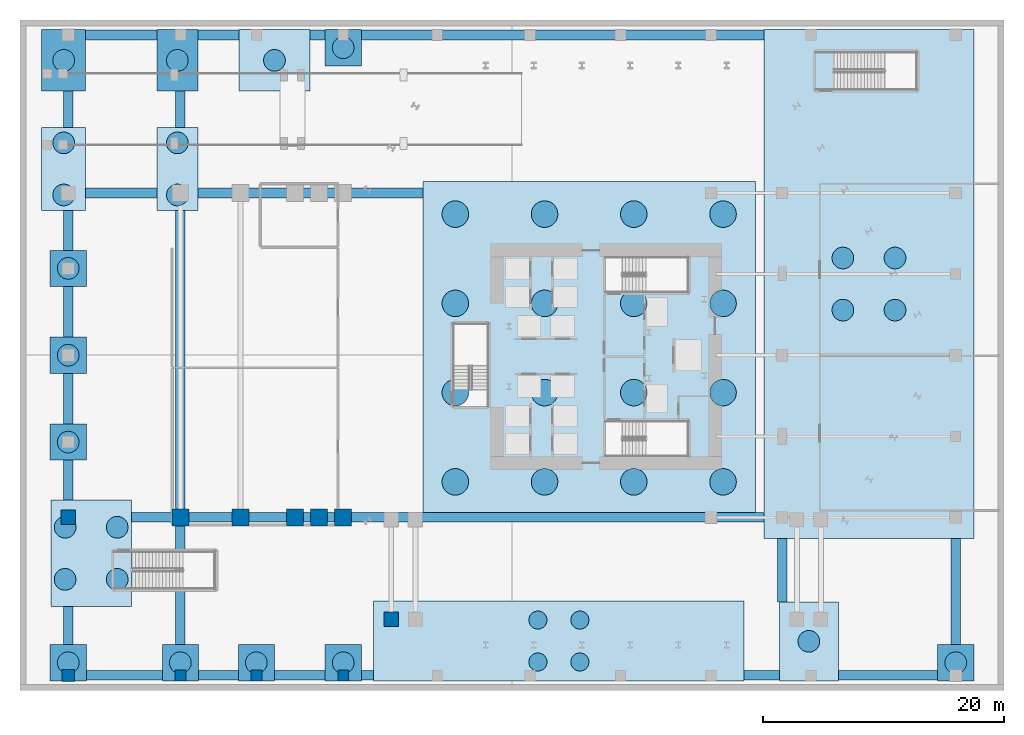
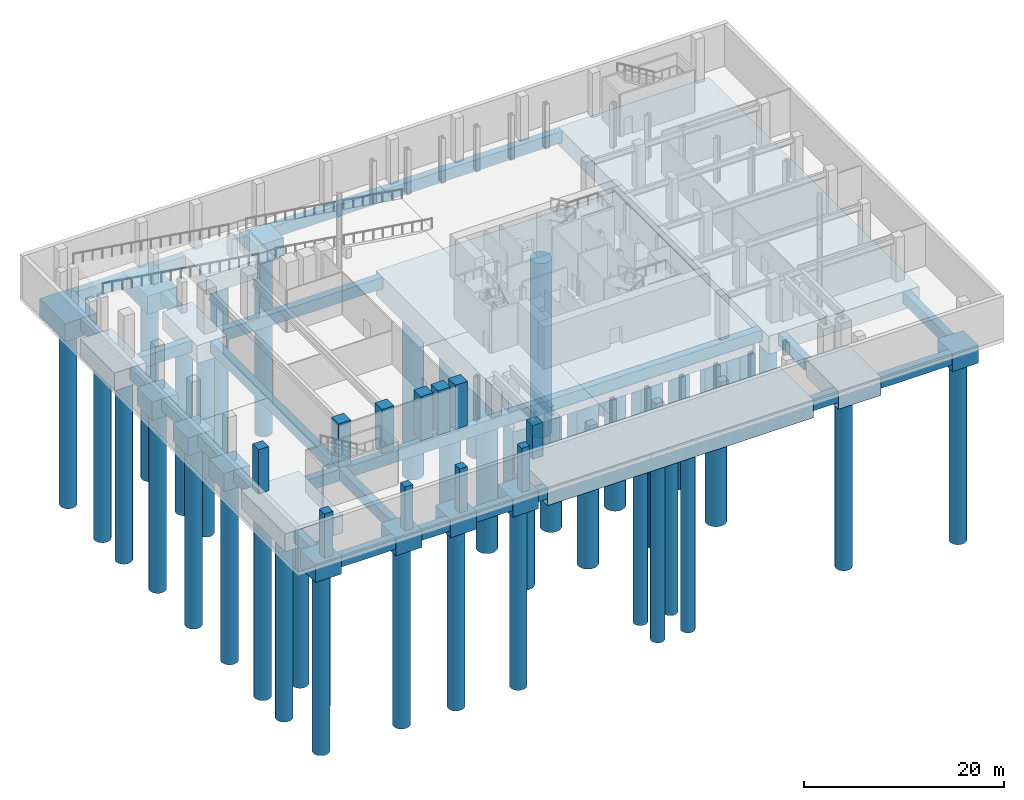
# One storey, part 1 of 16: 45 piles, 42 footings, 11 columns.
"""IFC4 building model written with IfcOpenShell, lengths in metres."""

from ifc_helpers import new_model, si_unit, direction, frame, origin, origin_2d, place, context, subcontext, project, spatial, polyline, rectangle, circle, outline, extrude, material, material_profile, profile_set, type_object, element, save


model = new_model("IFC4")

# Units and contexts
model_context = context("Model", 3, precision=1e-05, world=origin(), true_north=direction((0.0, 1.0)))
body_context = subcontext(model_context, "Body", "Model", "MODEL_VIEW")
ifc_project = project(units=[si_unit("LENGTHUNIT", "METRE"), si_unit("AREAUNIT", "SQUARE_METRE"), si_unit("VOLUMEUNIT", "CUBIC_METRE"), si_unit("PLANEANGLEUNIT", "RADIAN"), si_unit("MASSUNIT", "GRAM", prefix="KILO")], contexts=[model_context])

# Site, building, storey
site_placement = place(None, origin())
site = spatial("IfcSite", under=ifc_project, at=site_placement, CompositionType="ELEMENT")
building_placement = place(site_placement, origin())
building = spatial("IfcBuilding", under=site, at=building_placement, Name="Valkerne Bourse Tower", CompositionType="ELEMENT")
storey_placement = place(building_placement, frame((0.0, 0.0, -5.39990234375)))
storey = spatial("IfcBuildingStorey", under=building, at=storey_placement, Name="B1", CompositionType="ELEMENT", Elevation=-5.39990234375)

# Footings
ifc_material_1 = material(Name="Concrete C55/67", Category="concrete")
footing_type_1 = type_object("IfcFootingType", Name="FT-PC-17400X42196", PredefinedType="PILE_CAP", material=ifc_material_1)
footing_1_placement = place(storey_placement, frame((0.0, 0.0, -2.650146484375)))
element("IfcFooting", 1, at=footing_1_placement, inside=storey, type_object=footing_type_1, Name="Merged Pile Cap FT-CAP-17", PredefinedType="PILE_CAP", context=body_context, shape_type="SweptSolid", body=[
    extrude(outline(polyline([(59.89990234375, 11.803955078125), (77.300048828125, 11.803955078125), (77.300048828125, 54.0), (59.89990234375, 54.0), (59.89990234375, 11.803955078125)])), origin(), (0.0, 0.0, 1.0), 2.199951171875),
])
footing_type_2 = type_object("IfcFootingType", Name="FT-PC-3000X3000", PredefinedType="PILE_CAP", material=ifc_material_1)
footing_2_placement = place(storey_placement, frame((0.0, 0.0, -2.650146484375)))
element("IfcFooting", 2, at=footing_2_placement, inside=storey, type_object=footing_type_2, Name="Merged Pile Cap FT-CAP-01", PredefinedType="PILE_CAP", context=body_context, shape_type="SweptSolid", body=[
    extrude(outline(polyline([(0.699951171875, 0.0), (3.699951171875, 0.0), (3.699951171875, 3.0), (0.699951171875, 3.0), (0.699951171875, 0.0)])), origin(), (0.0, 0.0, 1.0), 2.199951171875),
])
footing_3_placement = place(storey_placement, frame((0.0, 0.0, -2.650146484375)))
element("IfcFooting", 3, at=footing_3_placement, inside=storey, type_object=footing_type_2, Name="Merged Pile Cap FT-CAP-03", PredefinedType="PILE_CAP", context=body_context, shape_type="SweptSolid", body=[
    extrude(outline(polyline([(0.699951171875, 18.300048828125), (3.699951171875, 18.300048828125), (3.699951171875, 21.300048828125), (0.699951171875, 21.300048828125), (0.699951171875, 18.300048828125)])), origin(), (0.0, 0.0, 1.0), 2.199951171875),
])
footing_4_placement = place(storey_placement, frame((0.0, 0.0, -2.650146484375)))
element("IfcFooting", 4, at=footing_4_placement, inside=storey, type_object=footing_type_2, Name="Merged Pile Cap FT-CAP-04", PredefinedType="PILE_CAP", context=body_context, shape_type="SweptSolid", body=[
    extrude(outline(polyline([(0.699951171875, 25.5), (3.699951171875, 25.5), (3.699951171875, 28.5), (0.699951171875, 28.5), (0.699951171875, 25.5)])), origin(), (0.0, 0.0, 1.0), 2.199951171875),
])
footing_5_placement = place(storey_placement, frame((0.0, 0.0, -2.650146484375)))
element("IfcFooting", 5, at=footing_5_placement, inside=storey, type_object=footing_type_2, Name="Merged Pile Cap FT-CAP-05", PredefinedType="PILE_CAP", context=body_context, shape_type="SweptSolid", body=[
    extrude(outline(polyline([(0.699951171875, 32.699951171875), (3.699951171875, 32.699951171875), (3.699951171875, 35.699951171875), (0.699951171875, 35.699951171875), (0.699951171875, 32.699951171875)])), origin(), (0.0, 0.0, 1.0), 2.199951171875),
])
footing_6_placement = place(storey_placement, frame((0.0, 0.0, -2.650146484375)))
element("IfcFooting", 6, at=footing_6_placement, inside=storey, type_object=footing_type_2, Name="Merged Pile Cap FT-CAP-08", PredefinedType="PILE_CAP", context=body_context, shape_type="SweptSolid", body=[
    extrude(outline(polyline([(10.0, 0.0), (13.0, 0.0), (13.0, 3.0), (10.0, 3.0), (10.0, 0.0)])), origin(), (0.0, 0.0, 1.0), 2.199951171875),
])
footing_7_placement = place(storey_placement, frame((0.0, 0.0, -2.650146484375)))
element("IfcFooting", 7, at=footing_7_placement, inside=storey, type_object=footing_type_2, Name="Merged Pile Cap FT-CAP-09", PredefinedType="PILE_CAP", context=body_context, shape_type="SweptSolid", body=[
    extrude(outline(polyline([(16.300048828125, 0.0), (19.300048828125, 0.0), (19.300048828125, 3.0), (16.300048828125, 3.0), (16.300048828125, 0.0)])), origin(), (0.0, 0.0, 1.0), 2.199951171875),
])
footing_8_placement = place(storey_placement, frame((0.0, 0.0, -2.650146484375)))
element("IfcFooting", 8, at=footing_8_placement, inside=storey, type_object=footing_type_2, Name="Merged Pile Cap FT-CAP-10", PredefinedType="PILE_CAP", context=body_context, shape_type="SweptSolid", body=[
    extrude(outline(polyline([(23.5, 0.0), (26.5, 0.0), (26.5, 3.0), (23.5, 3.0), (23.5, 0.0)])), origin(), (0.0, 0.0, 1.0), 2.199951171875),
])
footing_9_placement = place(storey_placement, frame((0.0, 0.0, -2.650146484375)))
element("IfcFooting", 9, at=footing_9_placement, inside=storey, type_object=footing_type_2, Name="Merged Pile Cap FT-CAP-13", PredefinedType="PILE_CAP", context=body_context, shape_type="SweptSolid", body=[
    extrude(outline(polyline([(74.300048828125, 0.0), (77.300048828125, 0.0), (77.300048828125, 3.0), (74.300048828125, 3.0), (74.300048828125, 0.0)])), origin(), (0.0, 0.0, 1.0), 2.199951171875),
])
footing_10_placement = place(storey_placement, frame((0.0, 0.0, -2.650146484375)))
element("IfcFooting", 10, at=footing_10_placement, inside=storey, type_object=footing_type_2, Name="Merged Pile Cap FT-CAP-16", PredefinedType="PILE_CAP", context=body_context, shape_type="SweptSolid", body=[
    extrude(outline(polyline([(23.5, 51.0), (26.5, 51.0), (26.5, 54.0), (23.5, 54.0), (23.5, 51.0)])), origin(), (0.0, 0.0, 1.0), 2.199951171875),
])
footing_type_3 = type_object("IfcFootingType", Name="FT-PC-30705X6600", PredefinedType="PILE_CAP", material=ifc_material_1)
footing_11_placement = place(storey_placement, frame((0.0, 0.0, -2.650146484375)))
element("IfcFooting", 11, at=footing_11_placement, inside=storey, type_object=footing_type_3, Name="Merged Pile Cap FT-CAP-11", PredefinedType="PILE_CAP", context=body_context, shape_type="SweptSolid", body=[
    extrude(outline(polyline([(27.534912109375, 0.0), (58.239990234375, 0.0), (58.239990234375, 6.60009765625), (27.534912109375, 6.60009765625), (27.534912109375, 0.0)])), origin(), (0.0, 0.0, 1.0), 2.199951171875),
])
footing_type_4 = type_object("IfcFootingType", Name="FT-PC-3400X5100", PredefinedType="PILE_CAP", material=ifc_material_1)
footing_12_placement = place(storey_placement, frame((0.0, 0.0, -2.650146484375)))
element("IfcFooting", 12, at=footing_12_placement, inside=storey, type_object=footing_type_4, Name="Merged Pile Cap FT-CAP-14", PredefinedType="PILE_CAP", context=body_context, shape_type="SweptSolid", body=[
    extrude(outline(polyline([(9.550048828125, 48.89990234375), (12.949951171875, 48.89990234375), (12.949951171875, 54.0), (9.550048828125, 54.0), (9.550048828125, 48.89990234375)])), origin(), (0.0, 0.0, 1.0), 2.199951171875),
])
footing_type_5 = type_object("IfcFootingType", Name="FT-PC-3400X6900", PredefinedType="PILE_CAP", material=ifc_material_1)
footing_13_placement = place(storey_placement, frame((0.0, 0.0, -2.650146484375)))
element("IfcFooting", 13, at=footing_13_placement, inside=storey, type_object=footing_type_5, Name="Merged Pile Cap FT-CAP-18", PredefinedType="PILE_CAP", context=body_context, shape_type="SweptSolid", body=[
    extrude(outline(polyline([(9.550048828125, 39.0), (12.949951171875, 39.0), (12.949951171875, 45.89990234375), (9.550048828125, 45.89990234375), (9.550048828125, 39.0)])), origin(), (0.0, 0.0, 1.0), 2.199951171875),
])
footing_type_6 = type_object("IfcFootingType", Name="FT-PC-3650X5100", PredefinedType="PILE_CAP", material=ifc_material_1)
footing_14_placement = place(storey_placement, frame((0.0, 0.0, -2.650146484375)))
element("IfcFooting", 14, at=footing_14_placement, inside=storey, type_object=footing_type_6, Name="Merged Pile Cap FT-CAP-07", PredefinedType="PILE_CAP", context=body_context, shape_type="SweptSolid", body=[
    extrude(outline(polyline([(0.0, 48.89990234375), (3.64990234375, 48.89990234375), (3.64990234375, 54.0), (0.0, 54.0), (0.0, 48.89990234375)])), origin(), (0.0, 0.0, 1.0), 2.199951171875),
])
footing_type_7 = type_object("IfcFootingType", Name="FT-PC-3650X6900", PredefinedType="PILE_CAP", material=ifc_material_1)
footing_15_placement = place(storey_placement, frame((0.0, 0.0, -2.650146484375)))
element("IfcFooting", 15, at=footing_15_placement, inside=storey, type_object=footing_type_7, Name="Merged Pile Cap FT-CAP-06", PredefinedType="PILE_CAP", context=body_context, shape_type="SweptSolid", body=[
    extrude(outline(polyline([(0.0, 39.0), (3.64990234375, 39.0), (3.64990234375, 45.89990234375), (0.0, 45.89990234375), (0.0, 39.0)])), origin(), (0.0, 0.0, 1.0), 2.199951171875),
])
footing_type_8 = type_object("IfcFootingType", Name="FT-PC-4899X6550", PredefinedType="PILE_CAP", material=ifc_material_1)
footing_16_placement = place(storey_placement, frame((0.0, 0.0, -2.650146484375)))
element("IfcFooting", 16, at=footing_16_placement, inside=storey, type_object=footing_type_8, Name="Merged Pile Cap FT-CAP-12", PredefinedType="PILE_CAP", context=body_context, shape_type="SweptSolid", body=[
    extrude(outline(polyline([(61.1669921875, 0.0), (66.06591796875, 0.0), (66.06591796875, 6.550048828125), (61.1669921875, 6.550048828125), (61.1669921875, 0.0)])), origin(), (0.0, 0.0, 1.0), 2.199951171875),
])
footing_type_9 = type_object("IfcFootingType", Name="FT-PC-5900X5100", PredefinedType="PILE_CAP", material=ifc_material_1)
footing_17_placement = place(storey_placement, frame((0.0, 0.0, -2.650146484375)))
element("IfcFooting", 17, at=footing_17_placement, inside=storey, type_object=footing_type_9, Name="Merged Pile Cap FT-CAP-15", PredefinedType="PILE_CAP", context=body_context, shape_type="SweptSolid", body=[
    extrude(outline(polyline([(16.35009765625, 48.89990234375), (22.25, 48.89990234375), (22.25, 54.0), (16.35009765625, 54.0), (16.35009765625, 48.89990234375)])), origin(), (0.0, 0.0, 1.0), 2.199951171875),
])
footing_type_10 = type_object("IfcFootingType", Name="FT-PC-6700X8850", PredefinedType="PILE_CAP", material=ifc_material_1)
footing_18_placement = place(storey_placement, frame((0.0, 0.0, -2.650146484375)))
element("IfcFooting", 18, at=footing_18_placement, inside=storey, type_object=footing_type_10, Name="Merged Pile Cap FT-CAP-02", PredefinedType="PILE_CAP", context=body_context, shape_type="SweptSolid", body=[
    extrude(outline(polyline([(0.75, 6.14990234375), (7.449951171875, 6.14990234375), (7.449951171875, 15.0), (0.75, 15.0), (0.75, 6.14990234375)])), origin(), (0.0, 0.0, 1.0), 2.199951171875),
])
footing_type_11 = type_object("IfcFootingType", Name="FT-RAFT-3000", PredefinedType="PILE_CAP", material=ifc_material_1)
footing_19_placement = place(storey_placement, frame((0.0, 0.0, -3.4501953125)))
element("IfcFooting", 19, at=footing_19_placement, inside=storey, type_object=footing_type_11, Name="Central Core Foundation Raft FT-RAFT", PredefinedType="PILE_CAP", context=body_context, shape_type="SweptSolid", body=[
    extrude(outline(polyline([(31.60009765625, 13.800048828125), (59.199951171875, 13.800048828125), (59.199951171875, 41.39990234375), (31.60009765625, 41.39990234375), (31.60009765625, 13.800048828125)])), origin(), (0.0, 0.0, 1.0), 3.0),
])
ifc_material_profile_1 = material_profile(ifc_material_1, rectangle(XDim=0.800048828125, YDim=1.39990234375, at=origin_2d()), Name="RC800X1400")
ifc_profile_set_1 = profile_set([ifc_material_profile_1], Name="Concrete C55/67")
footing_type_12 = type_object("IfcFootingType", Name="FT-TB-800X1400", PredefinedType="FOOTING_BEAM", material=ifc_profile_set_1)
footing_20_placement = place(storey_placement, frame((3.699951171875, 0.449951171875, -1.150146484375), z_axis=(1.0, 0.0, 0.0), x_axis=(0.0, 1.0, 0.0)))
element("IfcFooting", 20, at=footing_20_placement, inside=storey, type_object=footing_type_12, Name="Foundation Tie Beam TB-01", PredefinedType="FOOTING_BEAM", context=body_context, shape_type="SweptSolid", body=[
    extrude(rectangle(XDim=0.800048828125, YDim=1.39990234375, at=origin_2d()), origin(), (0.0, 0.0, 1.0), 6.300048828125),
])
footing_21_placement = place(storey_placement, frame((13.0, 0.449951171875, -1.150146484375), z_axis=(1.0, 0.0, 0.0), x_axis=(0.0, 1.0, 0.0)))
element("IfcFooting", 21, at=footing_21_placement, inside=storey, type_object=footing_type_12, Name="Foundation Tie Beam TB-02", PredefinedType="FOOTING_BEAM", context=body_context, shape_type="SweptSolid", body=[
    extrude(rectangle(XDim=0.800048828125, YDim=1.39990234375, at=origin_2d()), origin(), (0.0, 0.0, 1.0), 3.300048828125),
])
footing_22_placement = place(storey_placement, frame((19.300048828125, 0.449951171875, -1.150146484375), z_axis=(1.0, 0.0, 0.0), x_axis=(0.0, 1.0, 0.0)))
element("IfcFooting", 22, at=footing_22_placement, inside=storey, type_object=footing_type_12, Name="Foundation Tie Beam TB-03", PredefinedType="FOOTING_BEAM", context=body_context, shape_type="SweptSolid", body=[
    extrude(rectangle(XDim=0.800048828125, YDim=1.39990234375, at=origin_2d()), origin(), (0.0, 0.0, 1.0), 4.199951171875),
])
footing_23_placement = place(storey_placement, frame((26.5, 0.449951171875, -1.150146484375), z_axis=(1.0, 0.0, 0.0), x_axis=(0.0, 1.0, 0.0)))
element("IfcFooting", 23, at=footing_23_placement, inside=storey, type_object=footing_type_12, Name="Foundation Tie Beam TB-04", PredefinedType="FOOTING_BEAM", context=body_context, shape_type="SweptSolid", body=[
    extrude(rectangle(XDim=0.800048828125, YDim=1.39990234375, at=origin_2d()), origin(), (0.0, 0.0, 1.0), 1.034912109375),
])
footing_24_placement = place(storey_placement, frame((58.239990234375, 0.449951171875, -1.150146484375), z_axis=(1.0, 0.0, 0.0), x_axis=(0.0, 1.0, 0.0)))
element("IfcFooting", 24, at=footing_24_placement, inside=storey, type_object=footing_type_12, Name="Foundation Tie Beam TB-05", PredefinedType="FOOTING_BEAM", context=body_context, shape_type="SweptSolid", body=[
    extrude(rectangle(XDim=0.800048828125, YDim=1.39990234375, at=origin_2d()), origin(), (0.0, 0.0, 1.0), 2.927001953125),
])
footing_25_placement = place(storey_placement, frame((66.06591796875, 0.449951171875, -1.150146484375), z_axis=(1.0, 0.0, 0.0), x_axis=(0.0, 1.0, 0.0)))
element("IfcFooting", 25, at=footing_25_placement, inside=storey, type_object=footing_type_12, Name="Foundation Tie Beam TB-06", PredefinedType="FOOTING_BEAM", context=body_context, shape_type="SweptSolid", body=[
    extrude(rectangle(XDim=0.800048828125, YDim=1.39990234375, at=origin_2d()), origin(), (0.0, 0.0, 1.0), 8.234130859375),
])
footing_26_placement = place(storey_placement, frame((3.64990234375, 53.550048828125, -1.150146484375), z_axis=(1.0, 0.0, 0.0), x_axis=(0.0, 1.0, 0.0)))
element("IfcFooting", 26, at=footing_26_placement, inside=storey, type_object=footing_type_12, Name="Foundation Tie Beam TB-07", PredefinedType="FOOTING_BEAM", context=body_context, shape_type="SweptSolid", body=[
    extrude(rectangle(XDim=0.800048828125, YDim=1.39990234375, at=origin_2d()), origin(), (0.0, 0.0, 1.0), 5.900146484375),
])
footing_27_placement = place(storey_placement, frame((12.949951171875, 53.550048828125, -1.150146484375), z_axis=(1.0, 0.0, 0.0), x_axis=(0.0, 1.0, 0.0)))
element("IfcFooting", 27, at=footing_27_placement, inside=storey, type_object=footing_type_12, Name="Foundation Tie Beam TB-08", PredefinedType="FOOTING_BEAM", context=body_context, shape_type="SweptSolid", body=[
    extrude(rectangle(XDim=0.800048828125, YDim=1.39990234375, at=origin_2d()), origin(), (0.0, 0.0, 1.0), 3.400146484375),
])
footing_28_placement = place(storey_placement, frame((22.25, 53.550048828125, -1.150146484375), z_axis=(1.0, 0.0, 0.0), x_axis=(0.0, 1.0, 0.0)))
element("IfcFooting", 28, at=footing_28_placement, inside=storey, type_object=footing_type_12, Name="Foundation Tie Beam TB-09", PredefinedType="FOOTING_BEAM", context=body_context, shape_type="SweptSolid", body=[
    extrude(rectangle(XDim=0.800048828125, YDim=1.39990234375, at=origin_2d()), origin(), (0.0, 0.0, 1.0), 1.25),
])
footing_29_placement = place(storey_placement, frame((26.5, 53.550048828125, -1.150146484375), z_axis=(1.0, 0.0, 0.0), x_axis=(0.0, 1.0, 0.0)))
element("IfcFooting", 29, at=footing_29_placement, inside=storey, type_object=footing_type_12, Name="Foundation Tie Beam TB-10", PredefinedType="FOOTING_BEAM", context=body_context, shape_type="SweptSolid", body=[
    extrude(rectangle(XDim=0.800048828125, YDim=1.39990234375, at=origin_2d()), origin(), (0.0, 0.0, 1.0), 33.39990234375),
])
footing_30_placement = place(storey_placement, frame((2.199951171875, 3.0, -1.150146484375), z_axis=(0.0, 1.0, 0.0), x_axis=(-1.0, 0.0, 0.0)))
element("IfcFooting", 30, at=footing_30_placement, inside=storey, type_object=footing_type_12, Name="Foundation Tie Beam TB-11", PredefinedType="FOOTING_BEAM", context=body_context, shape_type="SweptSolid", body=[
    extrude(rectangle(XDim=0.800048828125, YDim=1.39990234375, at=origin_2d()), origin(), (0.0, 0.0, 1.0), 3.14990234375),
])
footing_31_placement = place(storey_placement, frame((2.199951171875, 15.0, -1.150146484375), z_axis=(0.0, 1.0, 0.0), x_axis=(-1.0, 0.0, 0.0)))
element("IfcFooting", 31, at=footing_31_placement, inside=storey, type_object=footing_type_12, Name="Foundation Tie Beam TB-12", PredefinedType="FOOTING_BEAM", context=body_context, shape_type="SweptSolid", body=[
    extrude(rectangle(XDim=0.800048828125, YDim=1.39990234375, at=origin_2d()), origin(), (0.0, 0.0, 1.0), 3.300048828125),
])
for number, where, z_axis, x_axis, name in (
    (32, (2.199951171875, 21.300048828125, -1.150146484375), (0.0, 1.0, 0.0), (-1.0, 0.0, 0.0), "Foundation Tie Beam TB-13"),
    (33, (2.199951171875, 28.5, -1.150146484375), (0.0, 1.0, 0.0), (-1.0, 0.0, 0.0), "Foundation Tie Beam TB-14"),
):
    element("IfcFooting", number, at=place(storey_placement, frame(where, z_axis=z_axis, x_axis=x_axis)), inside=storey, type_object=footing_type_12, Name=name, PredefinedType="FOOTING_BEAM", context=body_context, shape_type="SweptSolid", body=[
        extrude(rectangle(XDim=0.800048828125, YDim=1.39990234375, at=origin_2d()), origin(), (0.0, 0.0, 1.0), 4.199951171875),
    ])
footing_32_placement = place(storey_placement, frame((2.199951171875, 35.699951171875, -1.150146484375), z_axis=(0.0, 1.0, 0.0), x_axis=(-1.0, 0.0, 0.0)))
element("IfcFooting", 34, at=footing_32_placement, inside=storey, type_object=footing_type_12, Name="Foundation Tie Beam TB-15", PredefinedType="FOOTING_BEAM", context=body_context, shape_type="SweptSolid", body=[
    extrude(rectangle(XDim=0.800048828125, YDim=1.39990234375, at=origin_2d()), origin(), (0.0, 0.0, 1.0), 3.300048828125),
])
footing_33_placement = place(storey_placement, frame((2.199951171875, 45.89990234375, -1.150146484375), z_axis=(0.0, 1.0, 0.0), x_axis=(-1.0, 0.0, 0.0)))
element("IfcFooting", 35, at=footing_33_placement, inside=storey, type_object=footing_type_12, Name="Foundation Tie Beam TB-16", PredefinedType="FOOTING_BEAM", context=body_context, shape_type="SweptSolid", body=[
    extrude(rectangle(XDim=0.800048828125, YDim=1.39990234375, at=origin_2d()), origin(), (0.0, 0.0, 1.0), 3.0),
])
footing_34_placement = place(storey_placement, frame((75.800048828125, 3.0, -1.150146484375), z_axis=(0.0, 1.0, 0.0), x_axis=(-1.0, 0.0, 0.0)))
element("IfcFooting", 36, at=footing_34_placement, inside=storey, type_object=footing_type_12, Name="Foundation Tie Beam TB-17", PredefinedType="FOOTING_BEAM", context=body_context, shape_type="SweptSolid", body=[
    extrude(rectangle(XDim=0.800048828125, YDim=1.39990234375, at=origin_2d()), origin(), (0.0, 0.0, 1.0), 8.803955078125),
])
footing_35_placement = place(storey_placement, frame((11.5, 3.0, -1.150146484375), z_axis=(0.0, 1.0, 0.0), x_axis=(-1.0, 0.0, 0.0)))
element("IfcFooting", 37, at=footing_35_placement, inside=storey, type_object=footing_type_12, Name="Foundation Tie Beam TB-18", PredefinedType="FOOTING_BEAM", context=body_context, shape_type="SweptSolid", body=[
    extrude(rectangle(XDim=0.800048828125, YDim=1.39990234375, at=origin_2d()), origin(), (0.0, 0.0, 1.0), 36.0),
])
footing_36_placement = place(storey_placement, frame((11.5, 45.89990234375, -1.150146484375), z_axis=(0.0, 1.0, 0.0), x_axis=(-1.0, 0.0, 0.0)))
element("IfcFooting", 38, at=footing_36_placement, inside=storey, type_object=footing_type_12, Name="Foundation Tie Beam TB-19", PredefinedType="FOOTING_BEAM", context=body_context, shape_type="SweptSolid", body=[
    extrude(rectangle(XDim=0.800048828125, YDim=1.39990234375, at=origin_2d()), origin(), (0.0, 0.0, 1.0), 3.0),
])
footing_37_placement = place(storey_placement, frame((61.39990234375, 6.550048828125, -1.150146484375), z_axis=(0.0, 1.0, 0.0), x_axis=(-1.0, 0.0, 0.0)))
element("IfcFooting", 39, at=footing_37_placement, inside=storey, type_object=footing_type_12, Name="Foundation Tie Beam TB-20", PredefinedType="FOOTING_BEAM", context=body_context, shape_type="SweptSolid", body=[
    extrude(rectangle(XDim=0.800048828125, YDim=1.39990234375, at=origin_2d()), origin(), (0.0, 0.0, 1.0), 5.25390625),
])
footing_38_placement = place(storey_placement, frame((7.449951171875, 13.550048828125, -1.150146484375), z_axis=(1.0, 0.0, 0.0), x_axis=(0.0, 1.0, 0.0)))
element("IfcFooting", 40, at=footing_38_placement, inside=storey, type_object=footing_type_12, Name="Foundation Tie Beam TB-21", PredefinedType="FOOTING_BEAM", context=body_context, shape_type="SweptSolid", body=[
    extrude(rectangle(XDim=0.800048828125, YDim=1.39990234375, at=origin_2d()), origin(), (0.0, 0.0, 1.0), 52.449951171875),
])
footing_39_placement = place(storey_placement, frame((3.64990234375, 40.449951171875, -1.150146484375), z_axis=(1.0, 0.0, 0.0), x_axis=(0.0, 1.0, 0.0)))
element("IfcFooting", 41, at=footing_39_placement, inside=storey, type_object=footing_type_12, Name="Foundation Tie Beam TB-22", PredefinedType="FOOTING_BEAM", context=body_context, shape_type="SweptSolid", body=[
    extrude(rectangle(XDim=0.800048828125, YDim=1.39990234375, at=origin_2d()), origin(), (0.0, 0.0, 1.0), 5.900146484375),
])
footing_40_placement = place(storey_placement, frame((12.949951171875, 40.449951171875, -1.150146484375), z_axis=(1.0, 0.0, 0.0), x_axis=(0.0, 1.0, 0.0)))
element("IfcFooting", 42, at=footing_40_placement, inside=storey, type_object=footing_type_12, Name="Foundation Tie Beam TB-23", PredefinedType="FOOTING_BEAM", context=body_context, shape_type="SweptSolid", body=[
    extrude(rectangle(XDim=0.800048828125, YDim=1.39990234375, at=origin_2d()), origin(), (0.0, 0.0, 1.0), 18.650146484375),
])

# Piles
ifc_material_profile_2 = material_profile(ifc_material_1, circle(Radius=0.75, at=origin_2d()), Name="CAISSON1500")
ifc_profile_set_2 = profile_set([ifc_material_profile_2], Name="Concrete C55/67")
pile_type_1 = type_object("IfcPileType", Name="PL-CAISSON1500", PredefinedType="BORED", material=ifc_profile_set_2)
for number, where, z_axis, x_axis, name in (
    (43, (41.1474609375, 1.56005859375, -2.525146484375), (0.0, 0.0, -1.0), (1.0, 0.0, 0.0), "Cap Bored Caisson PILE-FT-CAP-11-1"),
    (44, (44.62744140625, 1.56005859375, -2.525146484375), (0.0, 0.0, -1.0), (1.0, 0.0, 0.0), "Cap Bored Caisson PILE-FT-CAP-11-2"),
    (45, (41.1474609375, 5.0400390625, -2.525146484375), (0.0, 0.0, -1.0), (1.0, 0.0, 0.0), "Cap Bored Caisson PILE-FT-CAP-11-3"),
    (46, (44.62744140625, 5.0400390625, -2.525146484375), (0.0, 0.0, -1.0), (1.0, 0.0, 0.0), "Cap Bored Caisson PILE-FT-CAP-11-4"),
):
    element("IfcPile", number, at=place(storey_placement, frame(where, z_axis=z_axis, x_axis=x_axis)), inside=storey, type_object=pile_type_1, Name=name, PredefinedType="BORED", context=body_context, shape_type="SweptSolid", body=[
        extrude(circle(Radius=0.75, at=origin_2d()), origin(), (0.0, 0.0, 1.0), 22.074951171875),
    ])
ifc_material_profile_3 = material_profile(ifc_material_1, circle(Radius=0.89990234375, at=origin_2d()), Name="CAISSON1800")
ifc_profile_set_3 = profile_set([ifc_material_profile_3], Name="Concrete C55/67")
pile_type_2 = type_object("IfcPileType", Name="PL-CAISSON1800", PredefinedType="BORED", material=ifc_profile_set_3)
for number, where, z_axis, x_axis, name in (
    (47, (2.199951171875, 1.5, -2.525146484375), (0.0, 0.0, -1.0), (1.0, 0.0, 0.0), "Cap Bored Caisson PILE-FT-CAP-01-1"),
    (48, (1.93994140625, 8.4150390625, -2.525146484375), (0.0, 0.0, -1.0), (1.0, 0.0, 0.0), "Cap Bored Caisson PILE-FT-CAP-02-1"),
    (49, (6.260009765625, 8.4150390625, -2.525146484375), (0.0, 0.0, -1.0), (1.0, 0.0, 0.0), "Cap Bored Caisson PILE-FT-CAP-02-2"),
    (50, (1.93994140625, 12.735107421875, -2.525146484375), (0.0, 0.0, -1.0), (1.0, 0.0, 0.0), "Cap Bored Caisson PILE-FT-CAP-02-3"),
    (51, (6.260009765625, 12.735107421875, -2.525146484375), (0.0, 0.0, -1.0), (1.0, 0.0, 0.0), "Cap Bored Caisson PILE-FT-CAP-02-4"),
    (52, (2.199951171875, 19.800048828125, -2.525146484375), (0.0, 0.0, -1.0), (1.0, 0.0, 0.0), "Cap Bored Caisson PILE-FT-CAP-03-1"),
    (53, (2.199951171875, 27.0, -2.525146484375), (0.0, 0.0, -1.0), (1.0, 0.0, 0.0), "Cap Bored Caisson PILE-FT-CAP-04-1"),
    (54, (2.199951171875, 34.199951171875, -2.525146484375), (0.0, 0.0, -1.0), (1.0, 0.0, 0.0), "Cap Bored Caisson PILE-FT-CAP-05-1"),
    (55, (1.824951171875, 40.2900390625, -2.525146484375), (0.0, 0.0, -1.0), (1.0, 0.0, 0.0), "Cap Bored Caisson PILE-FT-CAP-06-1"),
    (56, (1.824951171875, 44.610107421875, -2.525146484375), (0.0, 0.0, -1.0), (1.0, 0.0, 0.0), "Cap Bored Caisson PILE-FT-CAP-06-2"),
    (57, (1.824951171875, 51.449951171875, -2.525146484375), (0.0, 0.0, -1.0), (1.0, 0.0, 0.0), "Cap Bored Caisson PILE-FT-CAP-07-1"),
    (58, (11.5, 1.5, -2.525146484375), (0.0, 0.0, -1.0), (1.0, 0.0, 0.0), "Cap Bored Caisson PILE-FT-CAP-08-1"),
    (59, (17.800048828125, 1.5, -2.525146484375), (0.0, 0.0, -1.0), (1.0, 0.0, 0.0), "Cap Bored Caisson PILE-FT-CAP-09-1"),
    (60, (25.0, 1.5, -2.525146484375), (0.0, 0.0, -1.0), (1.0, 0.0, 0.0), "Cap Bored Caisson PILE-FT-CAP-10-1"),
    (61, (63.616455078125, 3.27490234375, -2.525146484375), (0.0, 0.0, -1.0), (1.0, 0.0, 0.0), "Cap Bored Caisson PILE-FT-CAP-12-1"),
    (62, (75.800048828125, 1.5, -2.525146484375), (0.0, 0.0, -1.0), (1.0, 0.0, 0.0), "Cap Bored Caisson PILE-FT-CAP-13-1"),
    (63, (11.25, 51.449951171875, -2.525146484375), (0.0, 0.0, -1.0), (1.0, 0.0, 0.0), "Cap Bored Caisson PILE-FT-CAP-14-1"),
    (64, (19.300048828125, 51.449951171875, -2.525146484375), (0.0, 0.0, -1.0), (1.0, 0.0, 0.0), "Cap Bored Caisson PILE-FT-CAP-15-1"),
    (65, (25.0, 52.5, -2.525146484375), (0.0, 0.0, -1.0), (1.0, 0.0, 0.0), "Cap Bored Caisson PILE-FT-CAP-16-1"),
    (66, (66.43994140625, 30.741943359375, -2.525146484375), (0.0, 0.0, -1.0), (1.0, 0.0, 0.0), "Cap Bored Caisson PILE-FT-CAP-17-1"),
    (67, (70.760009765625, 30.741943359375, -2.525146484375), (0.0, 0.0, -1.0), (1.0, 0.0, 0.0), "Cap Bored Caisson PILE-FT-CAP-17-2"),
    (68, (66.43994140625, 35.06201171875, -2.525146484375), (0.0, 0.0, -1.0), (1.0, 0.0, 0.0), "Cap Bored Caisson PILE-FT-CAP-17-3"),
    (69, (70.760009765625, 35.06201171875, -2.525146484375), (0.0, 0.0, -1.0), (1.0, 0.0, 0.0), "Cap Bored Caisson PILE-FT-CAP-17-4"),
    (70, (11.25, 40.2900390625, -2.525146484375), (0.0, 0.0, -1.0), (1.0, 0.0, 0.0), "Cap Bored Caisson PILE-FT-CAP-18-1"),
    (71, (11.25, 44.610107421875, -2.525146484375), (0.0, 0.0, -1.0), (1.0, 0.0, 0.0), "Cap Bored Caisson PILE-FT-CAP-18-2"),
):
    element("IfcPile", number, at=place(storey_placement, frame(where, z_axis=z_axis, x_axis=x_axis)), inside=storey, type_object=pile_type_2, Name=name, PredefinedType="BORED", context=body_context, shape_type="SweptSolid", body=[
        extrude(circle(Radius=0.89990234375, at=origin_2d()), origin(), (0.0, 0.0, 1.0), 22.074951171875),
    ])
ifc_material_profile_4 = material_profile(ifc_material_1, circle(Radius=1.10009765625, at=origin_2d()), Name="CAISSON2200")
ifc_profile_set_4 = profile_set([ifc_material_profile_4], Name="Concrete C55/67")
pile_type_3 = type_object("IfcPileType", Name="PL-CAISSON2200", PredefinedType="BORED", material=ifc_profile_set_4)
for number, where, z_axis, x_axis, name in (
    (72, (34.300048828125, 16.5, -3.3251953125), (0.0, 0.0, -1.0), (1.0, 0.0, 0.0), "Core Raft Bored Caisson 1"),
    (73, (34.300048828125, 23.89990234375, -3.3251953125), (0.0, 0.0, -1.0), (1.0, 0.0, 0.0), "Core Raft Bored Caisson 2"),
    (74, (34.300048828125, 31.300048828125, -3.3251953125), (0.0, 0.0, -1.0), (1.0, 0.0, 0.0), "Core Raft Bored Caisson 3"),
    (75, (34.300048828125, 38.699951171875, -3.3251953125), (0.0, 0.0, -1.0), (1.0, 0.0, 0.0), "Core Raft Bored Caisson 4"),
    (76, (41.699951171875, 16.5, -3.3251953125), (0.0, 0.0, -1.0), (1.0, 0.0, 0.0), "Core Raft Bored Caisson 5"),
    (77, (41.699951171875, 23.89990234375, -3.3251953125), (0.0, 0.0, -1.0), (1.0, 0.0, 0.0), "Core Raft Bored Caisson 6"),
    (78, (41.699951171875, 31.300048828125, -3.3251953125), (0.0, 0.0, -1.0), (1.0, 0.0, 0.0), "Core Raft Bored Caisson 7"),
    (79, (41.699951171875, 38.699951171875, -3.3251953125), (0.0, 0.0, -1.0), (1.0, 0.0, 0.0), "Core Raft Bored Caisson 8"),
    (80, (49.10009765625, 16.5, -3.3251953125), (0.0, 0.0, -1.0), (1.0, 0.0, 0.0), "Core Raft Bored Caisson 9"),
    (81, (49.10009765625, 23.89990234375, -3.3251953125), (0.0, 0.0, -1.0), (1.0, 0.0, 0.0), "Core Raft Bored Caisson 10"),
    (82, (49.10009765625, 31.300048828125, -3.3251953125), (0.0, 0.0, -1.0), (1.0, 0.0, 0.0), "Core Raft Bored Caisson 11"),
    (83, (49.10009765625, 38.699951171875, -3.3251953125), (0.0, 0.0, -1.0), (1.0, 0.0, 0.0), "Core Raft Bored Caisson 12"),
    (84, (56.5, 16.5, -3.3251953125), (0.0, 0.0, -1.0), (1.0, 0.0, 0.0), "Core Raft Bored Caisson 13"),
    (85, (56.5, 23.89990234375, -3.3251953125), (0.0, 0.0, -1.0), (1.0, 0.0, 0.0), "Core Raft Bored Caisson 14"),
    (86, (56.5, 31.300048828125, -3.3251953125), (0.0, 0.0, -1.0), (1.0, 0.0, 0.0), "Core Raft Bored Caisson 15"),
    (87, (56.5, 38.699951171875, -3.3251953125), (0.0, 0.0, -1.0), (1.0, 0.0, 0.0), "Core Raft Bored Caisson 16"),
):
    element("IfcPile", number, at=place(storey_placement, frame(where, z_axis=z_axis, x_axis=x_axis)), inside=storey, type_object=pile_type_3, Name=name, PredefinedType="BORED", context=body_context, shape_type="SweptSolid", body=[
        extrude(circle(Radius=1.10009765625, at=origin_2d()), origin(), (0.0, 0.0, 1.0), 21.27490234375),
    ])

# Columns
ifc_material_2 = material(Name="Concrete C70/85", Category="concrete")
ifc_material_profile_5 = material_profile(ifc_material_2, rectangle(XDim=1.0, YDim=1.0, at=origin_2d()), Name="RC1000X1000")
ifc_profile_set_5 = profile_set([ifc_material_profile_5], Name="Concrete C70/85")
column_type_1 = type_object("IfcColumnType", Name="COL-RC1000X1000", PredefinedType="COLUMN", material=ifc_profile_set_5)
column_1_placement = place(storey_placement, frame((2.199951171875, 0.449951171875, 0.0), z_axis=(0.0, 0.0, 1.0), x_axis=(1.0, 0.0, 0.0)))
element("IfcColumn", 88, at=column_1_placement, inside=storey, type_object=column_type_1, Name="B1 Podium Column PW-1", PredefinedType="COLUMN", context=body_context, shape_type="SweptSolid", body=[
    extrude(rectangle(XDim=1.0, YDim=1.0, at=origin_2d()), origin(), (0.0, 0.0, 1.0), 5.39990234375),
])
ifc_material_profile_6 = material_profile(ifc_material_2, rectangle(XDim=1.199951171875, YDim=1.199951171875, at=origin_2d()), Name="RC1200X1200")
ifc_profile_set_6 = profile_set([ifc_material_profile_6], Name="Concrete C70/85")
column_type_2 = type_object("IfcColumnType", Name="COL-RC1200X1200", PredefinedType="COLUMN", material=ifc_profile_set_6)
column_2_placement = place(storey_placement, frame((2.199951171875, 13.550048828125, 0.0), z_axis=(0.0, 0.0, 1.0), x_axis=(1.0, 0.0, 0.0)))
element("IfcColumn", 89, at=column_2_placement, inside=storey, type_object=column_type_2, Name="B1 Podium Column PW-2", PredefinedType="COLUMN", context=body_context, shape_type="SweptSolid", body=[
    extrude(rectangle(XDim=1.199951171875, YDim=1.199951171875, at=origin_2d()), origin(), (0.0, 0.0, 1.0), 5.39990234375),
])
column_3_placement = place(storey_placement, frame((28.984619140625, 5.10009765625, 0.0), z_axis=(0.0, 0.0, 1.0), x_axis=(1.0, 0.0, 0.0)))
element("IfcColumn", 90, at=column_3_placement, inside=storey, type_object=column_type_2, Name="B1 Lane Transfer Pier 22A", PredefinedType="COLUMN", context=body_context, shape_type="SweptSolid", body=[
    extrude(rectangle(XDim=1.199951171875, YDim=1.199951171875, at=origin_2d()), origin(), (0.0, 0.0, 1.0), 4.093017578125),
])
ifc_material_profile_7 = material_profile(ifc_material_2, rectangle(XDim=1.39990234375, YDim=1.39990234375, at=origin_2d()), Name="RC1400X1400")
ifc_profile_set_7 = profile_set([ifc_material_profile_7], Name="Concrete C70/85")
column_type_3 = type_object("IfcColumnType", Name="COL-RC1400X1400", PredefinedType="COLUMN", material=ifc_profile_set_7)
for number, where, z_axis, x_axis, name in (
    (91, (11.5, 13.550048828125, 0.0), (0.0, 0.0, 1.0), (1.0, 0.0, 0.0), "B1 Podium Column MC-S1"),
    (92, (16.5, 13.550048828125, 0.0), (0.0, 0.0, 1.0), (1.0, 0.0, 0.0), "B1 Podium Column MC-S2"),
    (93, (20.991943359375, 13.550048828125, 0.0), (0.0, 0.0, 1.0), (1.0, 0.0, 0.0), "B1 Podium Column MCH-S1"),
    (94, (22.990966796875, 13.550048828125, 0.0), (0.0, 0.0, 1.0), (1.0, 0.0, 0.0), "B1 Podium Column MCH-S2"),
    (95, (24.988037109375, 13.550048828125, 0.0), (0.0, 0.0, 1.0), (1.0, 0.0, 0.0), "B1 Podium Column MCH-S3"),
):
    element("IfcColumn", number, at=place(storey_placement, frame(where, z_axis=z_axis, x_axis=x_axis)), inside=storey, type_object=column_type_3, Name=name, PredefinedType="COLUMN", context=body_context, shape_type="SweptSolid", body=[
        extrude(rectangle(XDim=1.39990234375, YDim=1.39990234375, at=origin_2d()), origin(), (0.0, 0.0, 1.0), 5.39990234375),
    ])
ifc_material_profile_8 = material_profile(ifc_material_2, rectangle(XDim=0.89990234375, YDim=0.89990234375, at=origin_2d()), Name="RC900X900")
ifc_profile_set_8 = profile_set([ifc_material_profile_8], Name="Concrete C70/85")
column_type_4 = type_object("IfcColumnType", Name="COL-RC900X900", PredefinedType="COLUMN", material=ifc_profile_set_8)
for number, where, z_axis, x_axis, name in (
    (96, (11.5, 0.449951171875, 0.0), (0.0, 0.0, 1.0), (1.0, 0.0, 0.0), "B1 Podium Column PS-1"),
    (97, (17.800048828125, 0.449951171875, 0.0), (0.0, 0.0, 1.0), (1.0, 0.0, 0.0), "B1 Podium Column PS-2"),
    (98, (25.0, 0.449951171875, 0.0), (0.0, 0.0, 1.0), (1.0, 0.0, 0.0), "B1 Podium Column PS-3"),
):
    element("IfcColumn", number, at=place(storey_placement, frame(where, z_axis=z_axis, x_axis=x_axis)), inside=storey, type_object=column_type_4, Name=name, PredefinedType="COLUMN", context=body_context, shape_type="SweptSolid", body=[
        extrude(rectangle(XDim=0.89990234375, YDim=0.89990234375, at=origin_2d()), origin(), (0.0, 0.0, 1.0), 5.39990234375),
    ])

save(model, "model.ifc")
